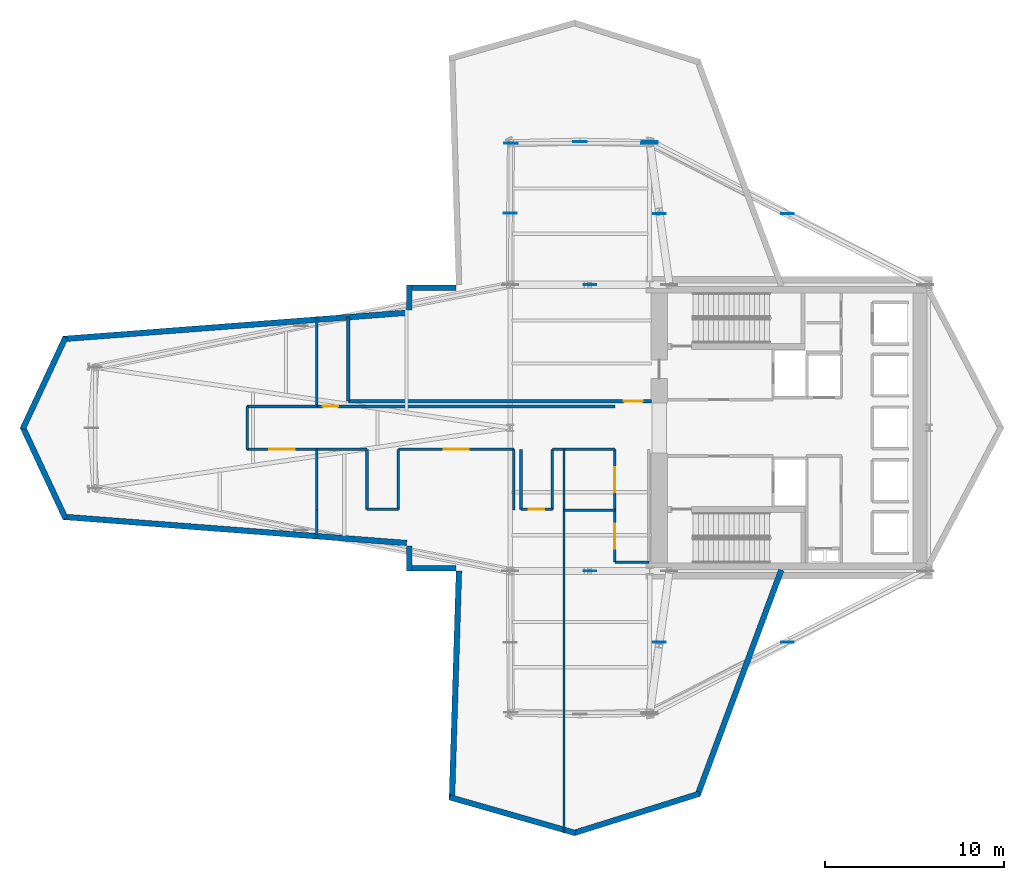
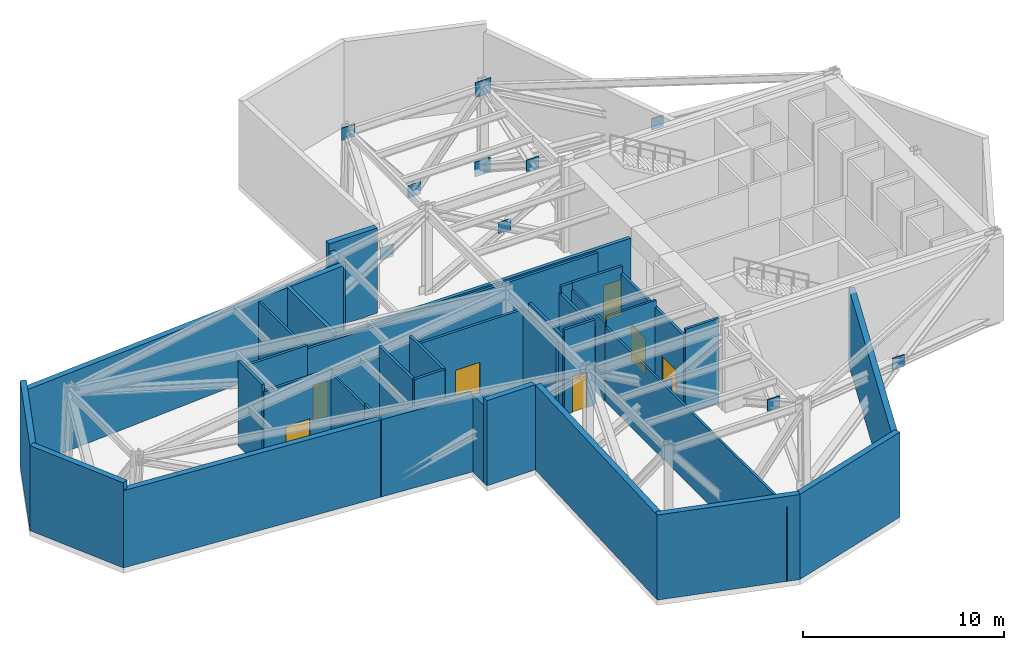
# One storey, part 4 of 7: 38 walls, 11 plates, 7 doors, 7 openings.
"""IFC4 building model written with IfcOpenShell, lengths in metres."""

import ifcopenshell
import ifcopenshell.guid

model = None  # the IFC model being written
_history = None  # IfcOwnerHistory: only IFC2X3 demands one
_inside = {}  # id of a spatial element -> (the spatial element, [elements in it])
_under = {}  # id of a project, library or spatial element -> (it, [spatial elements below it])
_declared = {}  # id of a project -> (the project, [libraries it declares])
_typed = {}  # id of a type object -> (the type object, [elements of that type])
_made_of = {}  # id of a material, layer set ... -> (it, [elements and type objects made of it])


def new_model(schema):
    """Start an empty IFC model of exactly this schema.

    Asked for "IFC4X3", IfcOpenShell would pick the latest addendum, in which some entities
    have other attributes; the version numbers below select the first issue.
    IFC2X3 requires an IfcOwnerHistory on every rooted entity: one is made here for all.
    """
    global model, _history
    if schema == "IFC4X3":
        model = ifcopenshell.file(schema_version=(4, 3, 0, 0))
    else:
        model = ifcopenshell.file(schema=schema)
    _inside.clear()
    _under.clear()
    _declared.clear()
    _typed.clear()
    _made_of.clear()
    _history = None
    if model.schema == "IFC2X3":
        org = make("IfcOrganization", Name="unknown")
        user = make(
            "IfcPersonAndOrganization",
            ThePerson=make("IfcPerson", FamilyName="unknown"),
            TheOrganization=org,
        )
        app = make(
            "IfcApplication",
            ApplicationDeveloper=org,
            Version="unknown",
            ApplicationFullName="unknown",
            ApplicationIdentifier="unknown",
        )
        _history = make(
            "IfcOwnerHistory",
            OwningUser=user,
            OwningApplication=app,
            ChangeAction="ADDED",
            CreationDate=0,
        )
    return model


def make(cls, **values):
    """One entity of the class cls with the attributes given. An attribute that is None is left unset."""
    return model.create_entity(
        cls, **{name: value for name, value in values.items() if value is not None}
    )


def rooted(cls, **values):
    """An entity with a GlobalId (a new one), such as an element, a storey or a relation."""
    return make(cls, GlobalId=ifcopenshell.guid.new(), OwnerHistory=_history, **values)


def si_unit(unit_type, name, prefix=None):
    """IfcSIUnit, for example si_unit("LENGTHUNIT", "METRE", prefix="MILLI")."""
    return make("IfcSIUnit", UnitType=unit_type, Prefix=prefix, Name=name)


def assignment(units):
    """IfcUnitAssignment: the units of a project."""
    return None if units is None else make("IfcUnitAssignment", Units=units)


def point(xyz):
    """IfcCartesianPoint."""
    return None if xyz is None else make("IfcCartesianPoint", Coordinates=xyz)


def direction(xyz):
    """IfcDirection."""
    return None if xyz is None else make("IfcDirection", DirectionRatios=xyz)


def frame(location, z_axis=None, x_axis=None):
    """IfcAxis2Placement3D, a coordinate frame: its origin and axes. An axis left out is left unset."""
    return make(
        "IfcAxis2Placement3D",
        Location=point(location),
        Axis=direction(z_axis),
        RefDirection=direction(x_axis),
    )


def frame_2d(location, x_axis=None):
    """IfcAxis2Placement2D, a coordinate frame in the plane: its origin and x axis."""
    return make(
        "IfcAxis2Placement2D", Location=point(location), RefDirection=direction(x_axis)
    )


def origin():
    """The frame at (0, 0, 0) with its axes left unset."""
    return frame((0.0, 0.0, 0.0))


def origin_2d():
    """The frame at (0, 0) in the plane with its x axis left unset."""
    return frame_2d((0.0, 0.0))


def place(relative_to, where):
    """IfcLocalPlacement: puts the frame where relative to a parent placement (None: the world)."""
    return make(
        "IfcLocalPlacement", PlacementRelTo=relative_to, RelativePlacement=where
    )


def context(
    kind, dimensions, precision=None, world=None, true_north=None, identifier=None
):
    """IfcGeometricRepresentationContext, for example the 3D "Model" context."""
    return make(
        "IfcGeometricRepresentationContext",
        ContextIdentifier=identifier,
        ContextType=kind,
        CoordinateSpaceDimension=dimensions,
        Precision=precision,
        WorldCoordinateSystem=world,
        TrueNorth=true_north,
    )


def subcontext(parent, identifier, kind, view, scale=None):
    """IfcGeometricRepresentationSubContext, for example "Body" below "Model"."""
    return make(
        "IfcGeometricRepresentationSubContext",
        ContextIdentifier=identifier,
        ContextType=kind,
        ParentContext=parent,
        TargetScale=scale,
        TargetView=view,
    )


def project(units=None, contexts=None):
    """IfcProject with its units and contexts."""
    return rooted(
        "IfcProject",
        Name="project",
        RepresentationContexts=contexts,
        UnitsInContext=assignment(units),
    )


def spatial(cls, under=None, at=None, **own):
    """A site, building, storey or space (cls), placed at a placement, below another one or the project."""
    s = rooted(cls, ObjectPlacement=at, **own)
    if under is not None:
        _under.setdefault(under.id(), (under, []))[1].append(s)
    return s


def profile(cls, at=None, kind="AREA", **sizes):
    """A parametric profile (cls). Its sizes go by their IFC names, for example OverallWidth=200.0."""
    return make(cls, ProfileType=kind, Position=at, **sizes)


def rectangle(**sizes):
    """IfcRectangleProfileDef."""
    return profile("IfcRectangleProfileDef", **sizes)


def extrude(swept, where, along, depth):
    """IfcExtrudedAreaSolid: the profile swept, set in the frame where, extruded along a direction by depth."""
    return make(
        "IfcExtrudedAreaSolid",
        SweptArea=swept,
        Position=where,
        ExtrudedDirection=direction(along),
        Depth=depth,
    )


def shape(context_of_items, identifier, shape_type, items):
    """IfcShapeRepresentation: the items that make up one representation, for example the "Body"."""
    return make(
        "IfcShapeRepresentation",
        ContextOfItems=context_of_items,
        RepresentationIdentifier=identifier,
        RepresentationType=shape_type,
        Items=items,
    )


def material(Name=None, Category=None):
    """IfcMaterial."""
    return make("IfcMaterial", Name=Name, Category=Category)


def layer(
    of_material, thickness, ventilated=None, Name=None, Category=None, Priority=None
):
    """IfcMaterialLayer: one layer of a wall or slab, of a material (None: an air gap)."""
    return make(
        "IfcMaterialLayer",
        Material=of_material,
        LayerThickness=thickness,
        IsVentilated=ventilated,
        Name=Name,
        Category=Category,
        Priority=Priority,
    )


def layer_set(layers, Name=None):
    """IfcMaterialLayerSet."""
    return make("IfcMaterialLayerSet", MaterialLayers=layers, LayerSetName=Name)


def made_of(thing, what):
    """Note that an element or type object is made of a material, layer set ...; save() writes the relation."""
    if what is not None:
        _made_of.setdefault(what.id(), (what, []))[1].append(thing)
    return thing


def type_object(cls, material=None, **own):
    """A type object (cls), such as IfcWallType, which elements share."""
    return made_of(rooted(cls, **own), material)


def element(
    cls,
    number,
    at=None,
    inside=None,
    cuts=None,
    type_object=None,
    material=None,
    context=None,
    identifier="Body",
    shape_type=None,
    held_by="IfcProductDefinitionShape",
    body=None,
    shapes=None,
    **own,
):
    """One element of the class cls, such as IfcWall. Its Tag is "e" and its number.

    at: its placement. inside: the storey or other place that contains it. cuts: it is an
    opening in that element (IfcRelVoidsElement). A single representation is given by context,
    identifier, shape_type and body (its items); several are given by shapes. held_by: the class
    of the entity that holds the representations. save() writes the other relations.
    """
    e = rooted(cls, Tag="e%d" % number, ObjectPlacement=at, **own)
    if body is not None:
        shapes = [shape(context, identifier, shape_type, body)]
    if shapes is not None:
        e.Representation = make(held_by, Representations=shapes)
    if inside is not None:
        _inside.setdefault(inside.id(), (inside, []))[1].append(e)
    if cuts is not None:
        rooted(
            "IfcRelVoidsElement", RelatingBuildingElement=cuts, RelatedOpeningElement=e
        )
    if type_object is not None:
        _typed.setdefault(type_object.id(), (type_object, []))[1].append(e)
    return made_of(e, material)


def fill(opening, filler):
    """IfcRelFillsElement: the door or window that sits in an opening."""
    return rooted(
        "IfcRelFillsElement",
        RelatingOpeningElement=opening,
        RelatedBuildingElement=filler,
    )


def aggregate(whole, parts):
    """IfcRelAggregates: a whole, such as a stair, and the parts it consists of."""
    return rooted("IfcRelAggregates", RelatingObject=whole, RelatedObjects=parts)


def save(model, path):
    """Write the relations noted so far, then the file.

    IfcRelAggregates (storeys below a building ...), IfcRelContainedInSpatialStructure (elements
    in a storey), IfcRelDefinesByType, IfcRelAssociatesMaterial and IfcRelDeclares: one each for
    every whole, place, type object, material and project.
    """
    for whole, parts in _under.values():
        aggregate(whole, parts)
    for where, things in _inside.values():
        rooted(
            "IfcRelContainedInSpatialStructure",
            RelatedElements=things,
            RelatingStructure=where,
        )
    for kind, things in _typed.values():
        rooted("IfcRelDefinesByType", RelatedObjects=things, RelatingType=kind)
    for what, things in _made_of.values():
        rooted("IfcRelAssociatesMaterial", RelatedObjects=things, RelatingMaterial=what)
    for by, libraries in _declared.values():
        rooted("IfcRelDeclares", RelatingContext=by, RelatedDefinitions=libraries)
    model.write(path)


model = new_model("IFC4")

# Units and contexts
model_context = context("Model", 3, precision=1e-05, world=origin(), true_north=direction((0.0, 1.0)))
body_context = subcontext(model_context, "Body", "Model", "MODEL_VIEW")
ifc_project = project(units=[si_unit("LENGTHUNIT", "METRE"), si_unit("AREAUNIT", "SQUARE_METRE"), si_unit("VOLUMEUNIT", "CUBIC_METRE"), si_unit("PLANEANGLEUNIT", "RADIAN"), si_unit("MASSUNIT", "GRAM", prefix="KILO")], contexts=[model_context])

# Site, building, storey
site_placement = place(None, origin())
site = spatial("IfcSite", under=ifc_project, at=site_placement, CompositionType="ELEMENT")
building_placement = place(site_placement, origin())
building = spatial("IfcBuilding", under=site, at=building_placement, Name="Veymaron Broadcast Tower", CompositionType="ELEMENT")
storey_placement = place(building_placement, frame((0.0, 0.0, 32.39990234375)))
storey = spatial("IfcBuildingStorey", under=building, at=storey_placement, Name="L06", CompositionType="ELEMENT", Elevation=32.39990234375)

# Plates
ifc_material_1 = material(Name="Structural steel ASTM A913 Gr 65", Category="steel")
ifc_layer_1 = layer(ifc_material_1, 0.0400390625)
ifc_layer_set_1 = layer_set([ifc_layer_1], Name="Structural steel ASTM A913 Gr 65")
plate_type_1 = type_object("IfcPlateType", Name="PLT-NODE-BN1", PredefinedType="SHEET", material=ifc_layer_set_1)
for number, where, z_axis, x_axis, name in (
    (1, (35.10009765625, 40.0, -0.35498046875), (0.0, 0.0, 1.0), (1.0, 0.0, 0.0), "L06 Belt Truss apex gusset node plate BN1"),
    (2, (31.241943359375, 39.909912109375, 4.53515625), (0.0, 0.0, 1.0), (1.0, 0.0, 0.0), "L06 Belt Truss column gusset node plate BN1"),
    (3, (31.199951171875, 36.0, -0.35498046875), (0.0, 0.0, 1.0), (1.0, 0.0, 0.0), "L06 Belt Truss apex gusset node plate BN1"),
):
    element("IfcPlate", number, at=place(storey_placement, frame(where, z_axis=z_axis, x_axis=x_axis)), inside=storey, type_object=plate_type_1, Name=name, PredefinedType="SHEET", context=body_context, shape_type="SweptSolid", body=[
        extrude(rectangle(XDim=0.75, YDim=0.0400390625, at=origin_2d()), origin(), (0.0, 0.0, 1.0), 0.75),
    ])
ifc_layer_2 = layer(ifc_material_1, 0.044921875)
ifc_layer_set_2 = layer_set([ifc_layer_2], Name="Structural steel ASTM A913 Gr 65")
plate_type_2 = type_object("IfcPlateType", Name="PLT-NODE-ON1", PredefinedType="SHEET", material=ifc_layer_set_2)
for number, where, z_axis, x_axis, name in (
    (4, (38.985107421875, 39.909912109375, 4.460205078125), (0.0, 0.0, 1.0), (1.0, 0.0, 0.0), "L06 Outrigger end gusset node plate ON1"),
    (5, (39.0, 40.0, -0.429931640625), (0.0, 0.0, 1.0), (1.0, 0.0, 0.0), "L06 Outrigger end gusset node plate ON1"),
):
    element("IfcPlate", number, at=place(storey_placement, frame(where, z_axis=z_axis, x_axis=x_axis)), inside=storey, type_object=plate_type_2, Name=name, PredefinedType="SHEET", context=body_context, shape_type="SweptSolid", body=[
        extrude(rectangle(XDim=0.89990234375, YDim=0.044921875, at=origin_2d()), origin(), (0.0, 0.0, 1.0), 0.89990234375),
    ])
ifc_layer_3 = layer(ifc_material_1, 0.044921875)
ifc_layer_set_3 = layer_set([ifc_layer_3], Name="Structural steel ASTM A913 Gr 65")
plate_type_3 = type_object("IfcPlateType", Name="PLT-NODE-XN1", PredefinedType="SHEET", material=ifc_layer_set_3)
for number, where, z_axis, x_axis, name in (
    (6, (35.64990234375, 32.0, 2.115234375), (0.0, 0.0, 1.0), (1.0, 0.0, 0.0), "L06 Outrigger X-brace crossing gusset node XN1"),
    (7, (35.64990234375, 16.0, 2.115234375), (0.0, 0.0, 1.0), (1.0, 0.0, 0.0), "L06 Outrigger X-brace crossing gusset node XN1"),
    (8, (39.54638671875, 35.9775390625, 2.115234375), (0.0, 0.0, 1.0), (1.0, 0.0, 0.0), "L06 Outrigger X-brace crossing gusset node XN1"),
    (9, (39.54638671875, 12.0224609375, 2.115234375), (0.0, 0.0, 1.0), (1.0, 0.0, 0.0), "L06 Outrigger X-brace crossing gusset node XN1"),
    (10, (46.6962890625, 35.9775390625, 2.115234375), (0.0, 0.0, 1.0), (1.0, 0.0, 0.0), "L06 Outrigger X-brace crossing gusset node XN1"),
    (11, (46.6962890625, 12.0224609375, 2.115234375), (0.0, 0.0, 1.0), (1.0, 0.0, 0.0), "L06 Outrigger X-brace crossing gusset node XN1"),
):
    element("IfcPlate", number, at=place(storey_placement, frame(where, z_axis=z_axis, x_axis=x_axis)), inside=storey, type_object=plate_type_3, Name=name, PredefinedType="SHEET", context=body_context, shape_type="SweptSolid", body=[
        extrude(rectangle(XDim=0.699951171875, YDim=0.044921875, at=origin_2d()), origin(), (0.0, 0.0, 1.0), 0.699951171875),
    ])

# Walls
ifc_material_2 = material(Name="Precast concrete C40/50", Category="concrete")
ifc_layer_4 = layer(ifc_material_2, 0.320068359375)
ifc_layer_set_4 = layer_set([ifc_layer_4], Name="Precast concrete C40/50")
wall_type_1 = type_object("IfcWallType", Name="WALL-EXT-320", PredefinedType="STANDARD", material=ifc_layer_set_4)
wall_1_placement = place(storey_placement, frame((28.17529296875, 31.840087890625, 0.0), z_axis=(0.0, 0.0, 1.0), x_axis=(-1.0, 0.0, 0.0)))
element("IfcWall", 12, at=wall_1_placement, inside=storey, type_object=wall_type_1, Name="L06 mechanical belt-truss facade band 9-1", PredefinedType="STANDARD", context=body_context, shape_type="SweptSolid", body=[
    extrude(rectangle(XDim=2.775390625, YDim=0.320068359375, at=frame_2d((1.3876953125, 0.0))), origin(), (0.0, 0.0, 1.0), 5.16015625),
])
wall_2_placement = place(storey_placement, frame((25.56005859375, 32.0, 0.0), z_axis=(0.0, 0.0, 1.0), x_axis=(0.0, -1.0, 0.0)))
element("IfcWall", 13, at=wall_2_placement, inside=storey, type_object=wall_type_1, Name="L06 mechanical belt-truss facade band 10-1", PredefinedType="STANDARD", context=body_context, shape_type="SweptSolid", body=[
    extrude(rectangle(XDim=1.40283203125, YDim=0.320068359375, at=frame_2d((0.701416015625, 0.0))), origin(), (0.0, 0.0, 1.0), 4.68798828125),
])
wall_3_placement = place(storey_placement, frame((25.412109375, 30.437744140625, 0.0), z_axis=(0.0, 0.0, 1.0), x_axis=(-0.997092621347, -0.076199110592, 0.0)))
element("IfcWall", 14, at=wall_3_placement, inside=storey, type_object=wall_type_1, Name="L06 mechanical belt-truss facade band 11-1", PredefinedType="STANDARD", context=body_context, shape_type="SweptSolid", body=[
    extrude(rectangle(XDim=19.255859375, YDim=0.320068359375, at=frame_2d((9.6279296875, 0.0))), origin(), (0.0, 0.0, 1.0), 4.68798828125),
])
for number, where, z_axis, x_axis, name in (
    (15, (6.344970703125, 29.062255859375, 0.0), (0.0, 0.0, 1.0), (-0.423767821393, -0.905770850465, 0.0), "L06 mechanical belt-truss facade band 12-1"),
    (16, (3.94482421875, 24.06787109375, 0.0), (0.0, 0.0, 1.0), (0.423767821393, -0.905770850465, 0.0), "L06 mechanical belt-truss facade band 13-1"),
):
    element("IfcWall", number, at=place(storey_placement, frame(where, z_axis=z_axis, x_axis=x_axis)), inside=storey, type_object=wall_type_1, Name=name, PredefinedType="STANDARD", context=body_context, shape_type="SweptSolid", body=[
        extrude(rectangle(XDim=5.663818359375, YDim=0.320068359375, at=frame_2d((2.83203125, 0.0))), origin(), (0.0, 0.0, 1.0), 5.16015625),
    ])
wall_4_placement = place(storey_placement, frame((6.212158203125, 19.029541015625, 0.0), z_axis=(0.0, 0.0, 1.0), x_axis=(0.997092621347, -0.076199110592, 0.0)))
element("IfcWall", 17, at=wall_4_placement, inside=storey, type_object=wall_type_1, Name="L06 mechanical belt-truss facade band 14-1", PredefinedType="STANDARD", context=body_context, shape_type="SweptSolid", body=[
    extrude(rectangle(XDim=19.255859375, YDim=0.320068359375, at=frame_2d((9.6279296875, 0.0))), origin(), (0.0, 0.0, 1.0), 4.68798828125),
])
wall_5_placement = place(storey_placement, frame((25.56005859375, 17.40283203125, 0.0), z_axis=(0.0, 0.0, 1.0), x_axis=(0.0, -1.0, 0.0)))
element("IfcWall", 18, at=wall_5_placement, inside=storey, type_object=wall_type_1, Name="L06 mechanical belt-truss facade band 15-1", PredefinedType="STANDARD", context=body_context, shape_type="SweptSolid", body=[
    extrude(rectangle(XDim=1.40283203125, YDim=0.320068359375, at=frame_2d((0.701416015625, 0.0))), origin(), (0.0, 0.0, 1.0), 4.68798828125),
])
wall_6_placement = place(storey_placement, frame((25.39990234375, 16.159912109375, 0.0), z_axis=(0.0, 0.0, 1.0), x_axis=(1.0, 0.0, 0.0)))
element("IfcWall", 19, at=wall_6_placement, inside=storey, type_object=wall_type_1, Name="L06 mechanical belt-truss facade band 16-1", PredefinedType="STANDARD", context=body_context, shape_type="SweptSolid", body=[
    extrude(rectangle(XDim=2.775390625, YDim=0.320068359375, at=frame_2d((1.3876953125, 0.0))), origin(), (0.0, 0.0, 1.0), 5.16015625),
])
wall_7_placement = place(storey_placement, frame((28.335205078125, 15.9951171875, 0.0), z_axis=(0.0, 0.0, 1.0), x_axis=(-0.030865144105, -0.999523557941, 0.0)))
element("IfcWall", 20, at=wall_7_placement, inside=storey, type_object=wall_type_1, Name="L06 mechanical belt-truss facade band 17-1", PredefinedType="STANDARD", context=body_context, shape_type="SweptSolid", body=[
    extrude(rectangle(XDim=12.80615234375, YDim=0.320068359375, at=frame_2d((6.403076171875, 0.0))), origin(), (0.0, 0.0, 1.0), 5.16015625),
])
wall_8_placement = place(storey_placement, frame((27.82373046875, 3.35400390625, 0.0), z_axis=(0.0, 0.0, 1.0), x_axis=(0.961730666524, -0.273996578569, 0.0)))
element("IfcWall", 21, at=wall_8_placement, inside=storey, type_object=wall_type_1, Name="L06 mechanical belt-truss facade band 18-1", PredefinedType="STANDARD", context=body_context, shape_type="SweptSolid", body=[
    extrude(rectangle(XDim=7.29931640625, YDim=0.320068359375, at=frame_2d((3.649658203125, 0.0))), origin(), (0.0, 0.0, 1.0), 5.16015625),
])
wall_9_placement = place(storey_placement, frame((34.752197265625, 1.352783203125, 0.0), z_axis=(0.0, 0.0, 1.0), x_axis=(0.954239925005, 0.299042079858, 0.0)))
element("IfcWall", 22, at=wall_9_placement, inside=storey, type_object=wall_type_1, Name="L06 mechanical belt-truss facade band 19-1", PredefinedType="STANDARD", context=body_context, shape_type="SweptSolid", body=[
    extrude(rectangle(XDim=7.356689453125, YDim=0.320068359375, at=frame_2d((3.67822265625, 0.0))), origin(), (0.0, 0.0, 1.0), 5.16015625),
])
wall_10_placement = place(storey_placement, frame((41.669921875, 3.455810546875, 0.0), z_axis=(0.0, 0.0, 1.0), x_axis=(0.34837713867, 0.937354452303, 0.0)))
element("IfcWall", 23, at=wall_10_placement, inside=storey, type_object=wall_type_1, Name="L06 mechanical belt-truss facade band 20-1", PredefinedType="STANDARD", context=body_context, shape_type="SweptSolid", body=[
    extrude(rectangle(XDim=13.44189453125, YDim=0.320068359375, at=frame_2d((6.720947265625, 0.0))), origin(), (0.0, 0.0, 1.0), 4.68798828125),
])

# Wall, opening, door
ifc_material_3 = material(Name="Gypsum fireboard and steel stud framing", Category="steel")
ifc_layer_5 = layer(ifc_material_3, 0.14990234375)
ifc_layer_set_5 = layer_set([ifc_layer_5], Name="Gypsum fireboard and steel stud framing")
wall_type_2 = type_object("IfcWallType", Name="WALL-FIRE-150", PredefinedType="PARTITIONING", material=ifc_layer_set_5)
wall_11_placement = place(storey_placement, frame((37.050048828125, 16.5, 0.0), z_axis=(0.0, 0.0, 1.0), x_axis=(0.0, 1.0, 0.0)))
wall_11 = element("IfcWall", 24, at=wall_11_placement, inside=storey, type_object=wall_type_2, Name="L06 partition IW-L06-P02", PredefinedType="PARTITIONING", context=body_context, shape_type="SweptSolid", body=[
    extrude(rectangle(XDim=2.89990234375, YDim=0.14990234375, at=frame_2d((1.449951171875, 0.0))), origin(), (0.0, 0.0, 1.0), 4.7412109375),
])
opening_1_placement = place(wall_11_placement, frame((0.75, 0.0, 0.0)))
opening_1 = element("IfcOpeningElement", 25, at=opening_1_placement, cuts=wall_11, Name="Opening ID-PL1", PredefinedType="OPENING", context=body_context, shape_type="SweptSolid", body=[
    extrude(rectangle(XDim=1.39990234375, YDim=2.199951171875, at=frame_2d((0.699951171875, 1.10009765625))), frame((0.0, 0.0849609375, 0.0), z_axis=(0.0, -1.0, 0.0), x_axis=(1.0, 0.0, 0.0)), (0.0, 0.0, 1.0), 0.169921875),
])
ifc_material_4 = material(Name="Heavy-duty acoustic galvanized steel", Category="steel")
door_type_1 = type_object("IfcDoorType", Name="DOOR-PLANT-1400", OperationType="DOUBLE_DOOR_SINGLE_SWING", PredefinedType="DOOR", material=ifc_material_4)
door_1_placement = place(opening_1_placement, origin())
door_1 = element("IfcDoor", 26, at=door_1_placement, inside=storey, type_object=door_type_1, Name="L06 door DR-L06-P02", OperationType="SINGLE_SWING_LEFT", OverallHeight=2.199951171875, OverallWidth=1.39990234375, PredefinedType="DOOR", context=body_context, shape_type="SweptSolid", body=[
    extrude(rectangle(XDim=1.39990234375, YDim=2.199951171875, at=frame_2d((0.699951171875, 1.10009765625))), frame((0.0, 0.02490234375, 0.0), z_axis=(0.0, -1.0, 0.0), x_axis=(1.0, 0.0, 0.0)), (0.0, 0.0, 1.0), 0.050048828125),
])
fill(opening_1, door_1)

wall_12_placement = place(storey_placement, frame((31.800048828125, 19.449951171875, 0.0), z_axis=(0.0, 0.0, 1.0), x_axis=(1.0, 0.0, 0.0)))
wall_12 = element("IfcWall", 27, at=wall_12_placement, inside=storey, type_object=wall_type_2, Name="L06 partition IW-L06-P06", PredefinedType="PARTITIONING", context=body_context, shape_type="SweptSolid", body=[
    extrude(rectangle(XDim=1.75, YDim=0.14990234375, at=frame_2d((0.875, 0.0))), origin(), (0.0, 0.0, 1.0), 5.16015625),
])
opening_2_placement = place(wall_12_placement, frame((0.449951171875, 0.0, 0.0)))
opening_2 = element("IfcOpeningElement", 28, at=opening_2_placement, cuts=wall_12, Name="Opening ID-WC1", PredefinedType="OPENING", context=body_context, shape_type="SweptSolid", body=[
    extrude(rectangle(XDim=0.85009765625, YDim=2.14990234375, at=frame_2d((0.425048828125, 1.074951171875))), frame((0.0, 0.0849609375, 0.0), z_axis=(0.0, -1.0, 0.0), x_axis=(1.0, 0.0, 0.0)), (0.0, 0.0, 1.0), 0.169921875),
])
ifc_material_5 = material(Name="Moisture-resistant high-pressure laminate timber", Category="wood")
door_type_2 = type_object("IfcDoorType", Name="DOOR-INT-850", OperationType="NOTDEFINED", PredefinedType="DOOR", material=ifc_material_5)
door_2_placement = place(opening_2_placement, frame((0.85009765625, 0.0, 0.0), z_axis=(0.0, 0.0, 1.0), x_axis=(-1.0, 0.0, 0.0)))
door_2 = element("IfcDoor", 29, at=door_2_placement, inside=storey, type_object=door_type_2, Name="L06 door DR-L06-P06", OperationType="SINGLE_SWING_LEFT", OverallHeight=2.14990234375, OverallWidth=0.85009765625, PredefinedType="DOOR", context=body_context, shape_type="SweptSolid", body=[
    extrude(rectangle(XDim=0.85009765625, YDim=2.14990234375, at=frame_2d((0.425048828125, 1.074951171875))), frame((0.0, 0.02490234375, 0.0), z_axis=(0.0, -1.0, 0.0), x_axis=(1.0, 0.0, 0.0)), (0.0, 0.0, 1.0), 0.050048828125),
])
fill(opening_2, door_2)

wall_13_placement = place(storey_placement, frame((24.949951171875, 22.800048828125, 0.0), z_axis=(0.0, 0.0, 1.0), x_axis=(1.0, 0.0, 0.0)))
wall_13 = element("IfcWall", 30, at=wall_13_placement, inside=storey, type_object=wall_type_2, Name="L06 partition IW-L06-P08", PredefinedType="PARTITIONING", context=body_context, shape_type="SweptSolid", body=[
    extrude(rectangle(XDim=6.449951171875, YDim=0.14990234375, at=frame_2d((3.22509765625, 0.0))), origin(), (0.0, 0.0, 1.0), 4.531005859375),
])
opening_3_placement = place(wall_13_placement, frame((2.52490234375, 0.0, 0.0)))
opening_3 = element("IfcOpeningElement", 31, at=opening_3_placement, cuts=wall_13, Name="Opening ID-PL1", PredefinedType="OPENING", context=body_context, shape_type="SweptSolid", body=[
    extrude(rectangle(XDim=1.39990234375, YDim=2.199951171875, at=frame_2d((0.699951171875, 1.10009765625))), frame((0.0, 0.0849609375, 0.0), z_axis=(0.0, -1.0, 0.0), x_axis=(1.0, 0.0, 0.0)), (0.0, 0.0, 1.0), 0.169921875),
])
door_3_placement = place(opening_3_placement, frame((1.39990234375, 0.0, 0.0), z_axis=(0.0, 0.0, 1.0), x_axis=(-1.0, 0.0, 0.0)))
door_3 = element("IfcDoor", 32, at=door_3_placement, inside=storey, type_object=door_type_1, Name="L06 door DR-L06-P08", OperationType="SINGLE_SWING_LEFT", OverallHeight=2.199951171875, OverallWidth=1.39990234375, PredefinedType="DOOR", context=body_context, shape_type="SweptSolid", body=[
    extrude(rectangle(XDim=1.39990234375, YDim=2.199951171875, at=frame_2d((0.699951171875, 1.10009765625))), frame((0.0, 0.02490234375, 0.0), z_axis=(0.0, -1.0, 0.0), x_axis=(1.0, 0.0, 0.0)), (0.0, 0.0, 1.0), 0.050048828125),
])
fill(opening_3, door_3)

wall_14_placement = place(storey_placement, frame((37.050048828125, 19.39990234375, 0.0), z_axis=(0.0, 0.0, 1.0), x_axis=(0.0, 1.0, 0.0)))
wall_14 = element("IfcWall", 33, at=wall_14_placement, inside=storey, type_object=wall_type_2, Name="L06 partition IW-L06-P13", PredefinedType="PARTITIONING", context=body_context, shape_type="SweptSolid", body=[
    extrude(rectangle(XDim=3.400146484375, YDim=0.14990234375, at=frame_2d((1.7001953125, 0.0))), origin(), (0.0, 0.0, 1.0), 4.7412109375),
])
opening_4_placement = place(wall_14_placement, frame((1.0, 0.0, 0.0)))
opening_4 = element("IfcOpeningElement", 34, at=opening_4_placement, cuts=wall_14, Name="Opening ID-PL1", PredefinedType="OPENING", context=body_context, shape_type="SweptSolid", body=[
    extrude(rectangle(XDim=1.39990234375, YDim=2.199951171875, at=frame_2d((0.699951171875, 1.10009765625))), frame((0.0, 0.0849609375, 0.0), z_axis=(0.0, -1.0, 0.0), x_axis=(1.0, 0.0, 0.0)), (0.0, 0.0, 1.0), 0.169921875),
])
door_4_placement = place(opening_4_placement, origin())
door_4 = element("IfcDoor", 35, at=door_4_placement, inside=storey, type_object=door_type_1, Name="L06 door DR-L06-P13", OperationType="SINGLE_SWING_LEFT", OverallHeight=2.199951171875, OverallWidth=1.39990234375, PredefinedType="DOOR", context=body_context, shape_type="SweptSolid", body=[
    extrude(rectangle(XDim=1.39990234375, YDim=2.199951171875, at=frame_2d((0.699951171875, 1.10009765625))), frame((0.0, 0.02490234375, 0.0), z_axis=(0.0, -1.0, 0.0), x_axis=(1.0, 0.0, 0.0)), (0.0, 0.0, 1.0), 0.050048828125),
])
fill(opening_4, door_4)

wall_15_placement = place(storey_placement, frame((16.5, 22.800048828125, 0.0), z_axis=(0.0, 0.0, 1.0), x_axis=(1.0, 0.0, 0.0)))
wall_15 = element("IfcWall", 36, at=wall_15_placement, inside=storey, type_object=wall_type_2, Name="L06 partition IW-L06-P15", PredefinedType="PARTITIONING", context=body_context, shape_type="SweptSolid", body=[
    extrude(rectangle(XDim=3.889892578125, YDim=0.14990234375, at=frame_2d((1.94482421875, 0.0))), origin(), (0.0, 0.0, 1.0), 4.7412109375),
])
opening_5_placement = place(wall_15_placement, frame((1.2451171875, 0.0, 0.0)))
opening_5 = element("IfcOpeningElement", 37, at=opening_5_placement, cuts=wall_15, Name="Opening ID-PL1", PredefinedType="OPENING", context=body_context, shape_type="SweptSolid", body=[
    extrude(rectangle(XDim=1.39990234375, YDim=2.199951171875, at=frame_2d((0.699951171875, 1.10009765625))), frame((0.0, 0.0849609375, 0.0), z_axis=(0.0, -1.0, 0.0), x_axis=(1.0, 0.0, 0.0)), (0.0, 0.0, 1.0), 0.169921875),
])
door_5_placement = place(opening_5_placement, frame((1.39990234375, 0.0, 0.0), z_axis=(0.0, 0.0, 1.0), x_axis=(-1.0, 0.0, 0.0)))
door_5 = element("IfcDoor", 38, at=door_5_placement, inside=storey, type_object=door_type_1, Name="L06 door DR-L06-P15", OperationType="SINGLE_SWING_LEFT", OverallHeight=2.199951171875, OverallWidth=1.39990234375, PredefinedType="DOOR", context=body_context, shape_type="SweptSolid", body=[
    extrude(rectangle(XDim=1.39990234375, YDim=2.199951171875, at=frame_2d((0.699951171875, 1.10009765625))), frame((0.0, 0.02490234375, 0.0), z_axis=(0.0, -1.0, 0.0), x_axis=(1.0, 0.0, 0.0)), (0.0, 0.0, 1.0), 0.050048828125),
])
fill(opening_5, door_5)

wall_16_placement = place(storey_placement, frame((20.389892578125, 25.199951171875, 0.0), z_axis=(0.0, 0.0, 1.0), x_axis=(1.0, 0.0, 0.0)))
wall_16 = element("IfcWall", 39, at=wall_16_placement, inside=storey, type_object=wall_type_2, Name="L06 partition IW-L06-P18", PredefinedType="PARTITIONING", context=body_context, shape_type="SweptSolid", body=[
    extrude(rectangle(XDim=16.66015625, YDim=0.14990234375, at=frame_2d((8.330078125, 0.0))), origin(), (0.0, 0.0, 1.0), 4.531005859375),
])
opening_6_placement = place(wall_16_placement, frame((0.344970703125, 0.0, 0.0)))
opening_6 = element("IfcOpeningElement", 40, at=opening_6_placement, cuts=wall_16, Name="Opening ID-WC1", PredefinedType="OPENING", context=body_context, shape_type="SweptSolid", body=[
    extrude(rectangle(XDim=0.85009765625, YDim=2.14990234375, at=frame_2d((0.425048828125, 1.074951171875))), frame((0.0, 0.0849609375, 0.0), z_axis=(0.0, -1.0, 0.0), x_axis=(1.0, 0.0, 0.0)), (0.0, 0.0, 1.0), 0.169921875),
])
door_6_placement = place(opening_6_placement, frame((0.85009765625, 0.0, 0.0), z_axis=(0.0, 0.0, 1.0), x_axis=(-1.0, 0.0, 0.0)))
door_6 = element("IfcDoor", 41, at=door_6_placement, inside=storey, type_object=door_type_2, Name="L06 door DR-L06-P18", OperationType="SINGLE_SWING_LEFT", OverallHeight=2.14990234375, OverallWidth=0.85009765625, PredefinedType="DOOR", context=body_context, shape_type="SweptSolid", body=[
    extrude(rectangle(XDim=0.85009765625, YDim=2.14990234375, at=frame_2d((0.425048828125, 1.074951171875))), frame((0.0, 0.02490234375, 0.0), z_axis=(0.0, -1.0, 0.0), x_axis=(1.0, 0.0, 0.0)), (0.0, 0.0, 1.0), 0.050048828125),
])
fill(opening_6, door_6)

# Walls
wall_17_placement = place(storey_placement, frame((37.050048828125, 16.5, 0.0), z_axis=(0.0, 0.0, 1.0), x_axis=(1.0, 0.0, 0.0)))
element("IfcWall", 42, at=wall_17_placement, inside=storey, type_object=wall_type_2, Name="L06 partition IW-L06-P03", PredefinedType="PARTITIONING", context=body_context, shape_type="SweptSolid", body=[
    extrude(rectangle(XDim=1.89990234375, YDim=0.14990234375, at=frame_2d((0.949951171875, 0.0))), origin(), (0.0, 0.0, 1.0), 5.16015625),
])
for number, where, z_axis, x_axis, name in (
    (43, (33.550048828125, 19.449951171875, 0.0), (0.0, 0.0, 1.0), (0.0, 1.0, 0.0), "L06 partition IW-L06-P04"),
    (44, (31.800048828125, 19.449951171875, 0.0), (0.0, 0.0, 1.0), (0.0, 1.0, 0.0), "L06 partition IW-L06-P05"),
):
    element("IfcWall", number, at=place(storey_placement, frame(where, z_axis=z_axis, x_axis=x_axis)), inside=storey, type_object=wall_type_2, Name=name, PredefinedType="PARTITIONING", context=body_context, shape_type="SweptSolid", body=[
        extrude(rectangle(XDim=3.35009765625, YDim=0.14990234375, at=frame_2d((1.675048828125, 0.0))), origin(), (0.0, 0.0, 1.0), 4.7412109375),
    ])
wall_18_placement = place(storey_placement, frame((33.550048828125, 22.800048828125, 0.0), z_axis=(0.0, 0.0, 1.0), x_axis=(1.0, 0.0, 0.0)))
element("IfcWall", 45, at=wall_18_placement, inside=storey, type_object=wall_type_2, Name="L06 partition IW-L06-P07", PredefinedType="PARTITIONING", context=body_context, shape_type="SweptSolid", body=[
    extrude(rectangle(XDim=0.64990234375, YDim=0.14990234375, at=frame_2d((0.324951171875, 0.0))), origin(), (0.0, 0.0, 1.0), 5.16015625),
])
for number, where, z_axis, x_axis, name in (
    (46, (24.949951171875, 19.449951171875, 0.0), (0.0, 0.0, 1.0), (0.0, 1.0, 0.0), "L06 partition IW-L06-P09"),
    (47, (23.199951171875, 19.449951171875, 0.0), (0.0, 0.0, 1.0), (0.0, 1.0, 0.0), "L06 partition IW-L06-P10"),
):
    element("IfcWall", number, at=place(storey_placement, frame(where, z_axis=z_axis, x_axis=x_axis)), inside=storey, type_object=wall_type_2, Name=name, PredefinedType="PARTITIONING", context=body_context, shape_type="SweptSolid", body=[
        extrude(rectangle(XDim=3.35009765625, YDim=0.14990234375, at=frame_2d((1.675048828125, 0.0))), origin(), (0.0, 0.0, 1.0), 5.16015625),
    ])
wall_19_placement = place(storey_placement, frame((20.389892578125, 22.800048828125, 0.0), z_axis=(0.0, 0.0, 1.0), x_axis=(1.0, 0.0, 0.0)))
element("IfcWall", 48, at=wall_19_placement, inside=storey, type_object=wall_type_2, Name="L06 partition IW-L06-P11", PredefinedType="PARTITIONING", context=body_context, shape_type="SweptSolid", body=[
    extrude(rectangle(XDim=2.81005859375, YDim=0.14990234375, at=frame_2d((1.405029296875, 0.0))), origin(), (0.0, 0.0, 1.0), 4.531005859375),
])
wall_20_placement = place(storey_placement, frame((23.199951171875, 19.449951171875, 0.0), z_axis=(0.0, 0.0, 1.0), x_axis=(1.0, 0.0, 0.0)))
element("IfcWall", 49, at=wall_20_placement, inside=storey, type_object=wall_type_2, Name="L06 partition IW-L06-P12", PredefinedType="PARTITIONING", context=body_context, shape_type="SweptSolid", body=[
    extrude(rectangle(XDim=1.75, YDim=0.14990234375, at=frame_2d((0.875, 0.0))), origin(), (0.0, 0.0, 1.0), 5.16015625),
])
wall_21_placement = place(storey_placement, frame((34.199951171875, 22.800048828125, 0.0), z_axis=(0.0, 0.0, 1.0), x_axis=(1.0, 0.0, 0.0)))
element("IfcWall", 50, at=wall_21_placement, inside=storey, type_object=wall_type_2, Name="L06 partition IW-L06-P14", PredefinedType="PARTITIONING", context=body_context, shape_type="SweptSolid", body=[
    extrude(rectangle(XDim=2.85009765625, YDim=0.14990234375, at=frame_2d((1.425048828125, 0.0))), origin(), (0.0, 0.0, 1.0), 5.16015625),
])
wall_22_placement = place(storey_placement, frame((16.5, 25.199951171875, 0.0), z_axis=(0.0, 0.0, 1.0), x_axis=(1.0, 0.0, 0.0)))
element("IfcWall", 51, at=wall_22_placement, inside=storey, type_object=wall_type_2, Name="L06 partition IW-L06-P16", PredefinedType="PARTITIONING", context=body_context, shape_type="SweptSolid", body=[
    extrude(rectangle(XDim=3.889892578125, YDim=0.14990234375, at=frame_2d((1.94482421875, 0.0))), origin(), (0.0, 0.0, 1.0), 4.7412109375),
])
wall_23_placement = place(storey_placement, frame((16.5, 22.800048828125, 0.0), z_axis=(0.0, 0.0, 1.0), x_axis=(0.0, 1.0, 0.0)))
element("IfcWall", 52, at=wall_23_placement, inside=storey, type_object=wall_type_2, Name="L06 partition IW-L06-P17", PredefinedType="PARTITIONING", context=body_context, shape_type="SweptSolid", body=[
    extrude(rectangle(XDim=2.39990234375, YDim=0.14990234375, at=frame_2d((1.199951171875, 0.0))), origin(), (0.0, 0.0, 1.0), 5.16015625),
])

# Wall, opening, door
ifc_material_6 = material(Name="Concrete C40/50", Category="concrete")
ifc_layer_6 = layer(ifc_material_6, 0.199951171875)
ifc_layer_set_6 = layer_set([ifc_layer_6], Name="Concrete C40/50")
wall_type_3 = type_object("IfcWallType", Name="WALL-FIRE-200", PredefinedType="SOLIDWALL", material=ifc_layer_set_6)
wall_24_placement = place(storey_placement, frame((22.14990234375, 25.5, 0.0), z_axis=(0.0, 0.0, 1.0), x_axis=(1.0, 0.0, 0.0)))
wall_24 = element("IfcWall", 53, at=wall_24_placement, inside=storey, type_object=wall_type_3, Name="L06 partition IW-L06-REFG-S", PredefinedType="SOLIDWALL", context=body_context, shape_type="SweptSolid", body=[
    extrude(rectangle(XDim=16.9501953125, YDim=0.199951171875, at=frame_2d((8.47509765625, 0.0))), origin(), (0.0, 0.0, 1.0), 4.531005859375),
])
opening_7_placement = place(wall_24_placement, frame((15.39990234375, 0.0, 0.0)))
opening_7 = element("IfcOpeningElement", 54, at=opening_7_placement, cuts=wall_24, Name="Opening ID-FL1", PredefinedType="OPENING", context=body_context, shape_type="SweptSolid", body=[
    extrude(rectangle(XDim=1.050048828125, YDim=2.14990234375, at=frame_2d((0.52490234375, 1.074951171875))), frame((0.0, 0.10986328125, 0.0), z_axis=(0.0, -1.0, 0.0), x_axis=(1.0, 0.0, 0.0)), (0.0, 0.0, 1.0), 0.219970703125),
])
ifc_material_7 = material(Name="Fire-rated painted hollow steel ASTM A653", Category="steel")
door_type_3 = type_object("IfcDoorType", Name="DOOR-FIRE-1050", OperationType="NOTDEFINED", PredefinedType="DOOR", material=ifc_material_7)
door_7_placement = place(opening_7_placement, origin())
door_7 = element("IfcDoor", 55, at=door_7_placement, inside=storey, type_object=door_type_3, Name="L06 door DR-L06-REFG", OperationType="SINGLE_SWING_LEFT", OverallHeight=2.14990234375, OverallWidth=1.050048828125, PredefinedType="DOOR", context=body_context, shape_type="SweptSolid", body=[
    extrude(rectangle(XDim=1.050048828125, YDim=2.14990234375, at=frame_2d((0.52490234375, 1.074951171875))), frame((0.0, 0.02490234375, 0.0), z_axis=(0.0, -1.0, 0.0), x_axis=(1.0, 0.0, 0.0)), (0.0, 0.0, 1.0), 0.050048828125),
])
fill(opening_7, door_7)

# Walls
wall_25_placement = place(storey_placement, frame((22.14990234375, 25.5, 0.0), z_axis=(0.0, 0.0, 1.0), x_axis=(0.0, 1.0, 0.0)))
element("IfcWall", 56, at=wall_25_placement, inside=storey, type_object=wall_type_3, Name="L06 partition IW-L06-REFG-W", PredefinedType="SOLIDWALL", context=body_context, shape_type="SweptSolid", body=[
    extrude(rectangle(XDim=4.708740234375, YDim=0.199951171875, at=frame_2d((2.3544921875, 0.0))), origin(), (0.0, 0.0, 1.0), 4.68798828125),
])
ifc_material_8 = material(Name="Acoustic gypsum board and galvanized stud", Category="gypsum")
ifc_layer_7 = layer(ifc_material_8, 0.1201171875)
ifc_layer_set_7 = layer_set([ifc_layer_7], Name="Acoustic gypsum board and galvanized stud")
wall_type_4 = type_object("IfcWallType", Name="WALL-PART-120", PredefinedType="PARTITIONING", material=ifc_layer_set_7)
wall_26_placement = place(storey_placement, frame((34.199951171875, 1.370849609375, 0.0), z_axis=(0.0, 0.0, 1.0), x_axis=(0.0, 1.0, 0.0)))
element("IfcWall", 57, at=wall_26_placement, inside=storey, type_object=wall_type_4, Name="L06 partition IW-L06-P19", PredefinedType="PARTITIONING", context=body_context, shape_type="SweptSolid", body=[
    extrude(rectangle(XDim=18.029052734375, YDim=0.1201171875, at=frame_2d((9.0146484375, 0.0))), origin(), (0.0, 0.0, 1.0), 4.531005859375),
])
wall_27_placement = place(storey_placement, frame((34.199951171875, 19.39990234375, 0.0), z_axis=(0.0, 0.0, 1.0), x_axis=(1.0, 0.0, 0.0)))
element("IfcWall", 58, at=wall_27_placement, inside=storey, type_object=wall_type_4, Name="L06 partition IW-L06-P20", PredefinedType="PARTITIONING", context=body_context, shape_type="SweptSolid", body=[
    extrude(rectangle(XDim=2.85009765625, YDim=0.1201171875, at=frame_2d((1.425048828125, 0.0))), origin(), (0.0, 0.0, 1.0), 5.16015625),
])
wall_28_placement = place(storey_placement, frame((31.39990234375, 19.39990234375, 0.0), z_axis=(0.0, 0.0, 1.0), x_axis=(0.0, 1.0, 0.0)))
element("IfcWall", 59, at=wall_28_placement, inside=storey, type_object=wall_type_4, Name="L06 partition IW-L06-P22", PredefinedType="PARTITIONING", context=body_context, shape_type="SweptSolid", body=[
    extrude(rectangle(XDim=3.400146484375, YDim=0.1201171875, at=frame_2d((1.7001953125, 0.0))), origin(), (0.0, 0.0, 1.0), 4.531005859375),
])
wall_29_placement = place(storey_placement, frame((34.199951171875, 19.39990234375, 0.0), z_axis=(0.0, 0.0, 1.0), x_axis=(0.0, 1.0, 0.0)))
element("IfcWall", 60, at=wall_29_placement, inside=storey, type_object=wall_type_4, Name="L06 partition IW-L06-P23", PredefinedType="PARTITIONING", context=body_context, shape_type="SweptSolid", body=[
    extrude(rectangle(XDim=3.400146484375, YDim=0.1201171875, at=frame_2d((1.7001953125, 0.0))), origin(), (0.0, 0.0, 1.0), 4.7412109375),
])
wall_30_placement = place(storey_placement, frame((20.389892578125, 17.78564453125, 0.0), z_axis=(0.0, 0.0, 1.0), x_axis=(0.0, 1.0, 0.0)))
element("IfcWall", 61, at=wall_30_placement, inside=storey, type_object=wall_type_4, Name="L06 partition IW-L06-P24", PredefinedType="PARTITIONING", context=body_context, shape_type="SweptSolid", body=[
    extrude(rectangle(XDim=1.6142578125, YDim=0.1201171875, at=frame_2d((0.80712890625, 0.0))), origin(), (0.0, 0.0, 1.0), 4.68798828125),
])
wall_31_placement = place(storey_placement, frame((20.389892578125, 19.39990234375, 0.0), z_axis=(0.0, 0.0, 1.0), x_axis=(0.0, 1.0, 0.0)))
element("IfcWall", 62, at=wall_31_placement, inside=storey, type_object=wall_type_4, Name="L06 partition IW-L06-P25", PredefinedType="PARTITIONING", context=body_context, shape_type="SweptSolid", body=[
    extrude(rectangle(XDim=3.400146484375, YDim=0.1201171875, at=frame_2d((1.7001953125, 0.0))), origin(), (0.0, 0.0, 1.0), 4.531005859375),
])
wall_32_placement = place(storey_placement, frame((20.389892578125, 25.199951171875, 0.0), z_axis=(0.0, 0.0, 1.0), x_axis=(0.0, 1.0, 0.0)))
element("IfcWall", 63, at=wall_32_placement, inside=storey, type_object=wall_type_4, Name="L06 partition IW-L06-P26", PredefinedType="PARTITIONING", context=body_context, shape_type="SweptSolid", body=[
    extrude(rectangle(XDim=5.014404296875, YDim=0.1201171875, at=frame_2d((2.50732421875, 0.0))), origin(), (0.0, 0.0, 1.0), 4.531005859375),
])

save(model, "model.ifc")
